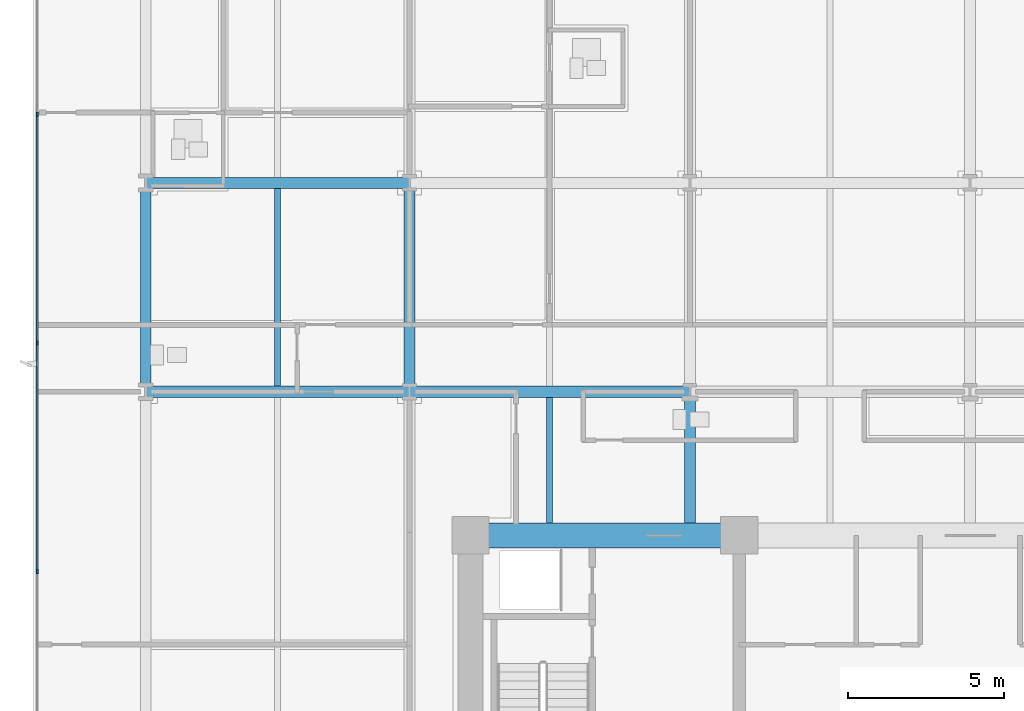
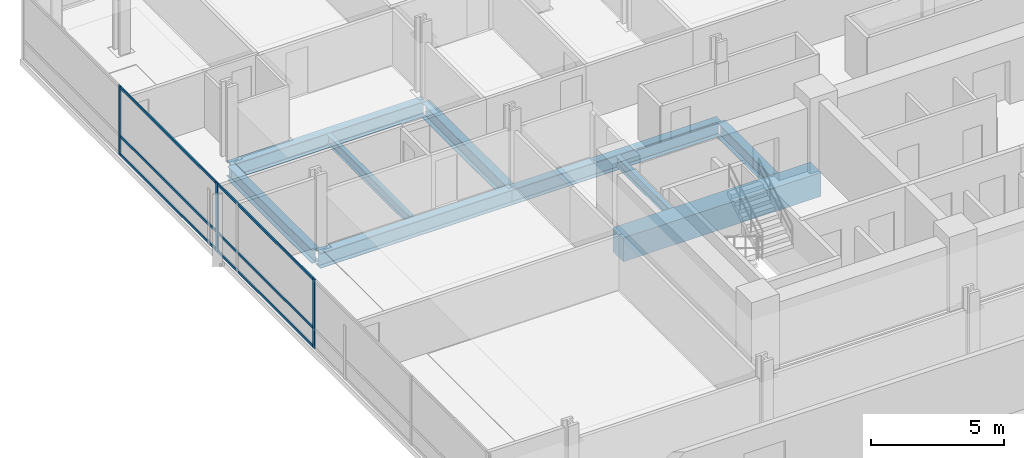
# One storey, part 4 of 21: 9 beams, 9 members, 1 element without a shape of its own.
"""IFC4 building model written with IfcOpenShell, lengths in metres."""

from ifc_helpers import new_model, si_unit, direction, frame, origin, origin_2d, place, context, subcontext, project, spatial, rectangle, i_section, extrude, material, material_profile, profile_set, type_object, element, aggregate, save


model = new_model("IFC4")

# Units and contexts
model_context = context("Model", 3, precision=1e-05, world=origin(), true_north=direction((0.0, 1.0)))
body_context = subcontext(model_context, "Body", "Model", "MODEL_VIEW")
ifc_project = project(units=[si_unit("LENGTHUNIT", "METRE"), si_unit("AREAUNIT", "SQUARE_METRE"), si_unit("VOLUMEUNIT", "CUBIC_METRE"), si_unit("PLANEANGLEUNIT", "RADIAN"), si_unit("MASSUNIT", "GRAM", prefix="KILO")], contexts=[model_context])

# Site, building, storey
site_placement = place(None, origin())
site = spatial("IfcSite", under=ifc_project, at=site_placement, CompositionType="ELEMENT")
building_placement = place(site_placement, origin())
building = spatial("IfcBuilding", under=site, at=building_placement, Name="Solmavex Isthmus Hotel", CompositionType="ELEMENT")
storey_placement = place(building_placement, frame((0.0, 0.0, 60.89990234375)))
storey = spatial("IfcBuildingStorey", under=building, at=storey_placement, Name="L16", CompositionType="ELEMENT", Elevation=60.89990234375)

# Beams
ifc_material_1 = material(Name="Steel ASTM A992 Grade 50", Category="steel")
ifc_material_profile_1 = material_profile(ifc_material_1, i_section(OverallWidth=0.354736328125, OverallDepth=0.695556640625, WebThickness=0.015380859375, FlangeThickness=0.02490234375, FilletRadius=0.017822265625, at=origin_2d()), Name="W27X146")
ifc_profile_set_1 = profile_set([ifc_material_profile_1], Name="Steel ASTM A992 Grade 50")
beam_type_1 = type_object("IfcBeamType", Name="BM-BG-W27X146", PredefinedType="BEAM", material=ifc_profile_set_1)
beam_1_placement = place(storey_placement, frame((-26.39990234375, 2.10009765625, -0.607666015625), z_axis=(1.0, 0.0, 0.0), x_axis=(0.0, 1.0, 0.0)))
element("IfcBeam", 1, at=beam_1_placement, inside=storey, type_object=beam_type_1, Name="Floor Girder L16-UG07", PredefinedType="BEAM", context=body_context, shape_type="SweptSolid", body=[
    extrude(i_section(OverallWidth=0.354736328125, OverallDepth=0.695556640625, WebThickness=0.015380859375, FlangeThickness=0.02490234375, FilletRadius=0.017822265625, at=origin_2d()), origin(), (0.0, 0.0, 1.0), 8.447998046875),
])
beam_2_placement = place(storey_placement, frame((-17.951904296875, 2.10009765625, -0.607666015625), z_axis=(1.0, 0.0, 0.0), x_axis=(0.0, 1.0, 0.0)))
element("IfcBeam", 2, at=beam_2_placement, inside=storey, type_object=beam_type_1, Name="Floor Girder L16-UG08", PredefinedType="BEAM", context=body_context, shape_type="SweptSolid", body=[
    extrude(i_section(OverallWidth=0.354736328125, OverallDepth=0.695556640625, WebThickness=0.015380859375, FlangeThickness=0.02490234375, FilletRadius=0.017822265625, at=origin_2d()), origin(), (0.0, 0.0, 1.0), 8.975830078125),
])
beam_3_placement = place(storey_placement, frame((-26.39990234375, 8.7880859375, -0.607666015625), z_axis=(1.0, 0.0, 0.0), x_axis=(0.0, 1.0, 0.0)))
element("IfcBeam", 3, at=beam_3_placement, inside=storey, type_object=beam_type_1, Name="Floor Girder L16-UG13", PredefinedType="BEAM", context=body_context, shape_type="SweptSolid", body=[
    extrude(i_section(OverallWidth=0.354736328125, OverallDepth=0.695556640625, WebThickness=0.015380859375, FlangeThickness=0.02490234375, FilletRadius=0.017822265625, at=origin_2d()), origin(), (0.0, 0.0, 1.0), 8.447998046875),
])
beam_4_placement = place(storey_placement, frame((-17.951904296875, 2.27734375, -0.607666015625), z_axis=(0.0, 1.0, 0.0), x_axis=(-1.0, 0.0, 0.0)))
element("IfcBeam", 4, at=beam_4_placement, inside=storey, type_object=beam_type_1, Name="Floor Beam L16-VG29", PredefinedType="BEAM", context=body_context, shape_type="SweptSolid", body=[
    extrude(i_section(OverallWidth=0.354736328125, OverallDepth=0.695556640625, WebThickness=0.015380859375, FlangeThickness=0.02490234375, FilletRadius=0.017822265625, at=origin_2d()), origin(), (0.0, 0.0, 1.0), 6.333251953125),
])
beam_5_placement = place(storey_placement, frame((-8.97607421875, -2.10009765625, -0.607666015625), z_axis=(0.0, 1.0, 0.0), x_axis=(-1.0, 0.0, 0.0)))
element("IfcBeam", 5, at=beam_5_placement, inside=storey, type_object=beam_type_1, Name="Floor Beam L16-VG32", PredefinedType="BEAM", context=body_context, shape_type="SweptSolid", body=[
    extrude(i_section(OverallWidth=0.354736328125, OverallDepth=0.695556640625, WebThickness=0.015380859375, FlangeThickness=0.02490234375, FilletRadius=0.017822265625, at=origin_2d()), origin(), (0.0, 0.0, 1.0), 4.022705078125),
])
ifc_material_profile_2 = material_profile(ifc_material_1, i_section(OverallWidth=0.1904296875, OverallDepth=0.456787109375, WebThickness=0.009033203125, FlangeThickness=0.014404296875, FilletRadius=0.0126953125, at=origin_2d()), Name="W18X50")
ifc_profile_set_2 = profile_set([ifc_material_profile_2], Name="Steel ASTM A992 Grade 50")
beam_type_2 = type_object("IfcBeamType", Name="BM-BJ-W18X50", PredefinedType="JOIST", material=ifc_profile_set_2)
beam_6_placement = place(storey_placement, frame((-22.176025390625, 2.27734375, -0.48828125), z_axis=(0.0, 1.0, 0.0), x_axis=(-1.0, 0.0, 0.0)))
element("IfcBeam", 6, at=beam_6_placement, inside=storey, type_object=beam_type_2, Name="Secondary Floor Joist L16-J02", PredefinedType="JOIST", context=body_context, shape_type="SweptSolid", body=[
    extrude(i_section(OverallWidth=0.1904296875, OverallDepth=0.456787109375, WebThickness=0.009033203125, FlangeThickness=0.014404296875, FilletRadius=0.0126953125, at=origin_2d()), origin(), (0.0, 0.0, 1.0), 6.333251953125),
])
beam_7_placement = place(storey_placement, frame((-13.464111328125, -2.10009765625, -0.48828125), z_axis=(0.0, 1.0, 0.0), x_axis=(-1.0, 0.0, 0.0)))
element("IfcBeam", 7, at=beam_7_placement, inside=storey, type_object=beam_type_2, Name="Secondary Floor Joist L16-J05", PredefinedType="JOIST", context=body_context, shape_type="SweptSolid", body=[
    extrude(i_section(OverallWidth=0.1904296875, OverallDepth=0.456787109375, WebThickness=0.009033203125, FlangeThickness=0.014404296875, FilletRadius=0.0126953125, at=origin_2d()), origin(), (0.0, 0.0, 1.0), 4.022705078125),
])
ifc_material_2 = material(Name="Concrete C70/85", Category="concrete")
ifc_material_profile_3 = material_profile(ifc_material_2, rectangle(XDim=0.800048828125, YDim=1.10009765625, at=origin_2d()), Name="RC800X1100")
ifc_profile_set_3 = profile_set([ifc_material_profile_3], Name="Concrete C70/85")
beam_type_3 = type_object("IfcBeamType", Name="BM-CB-800X1100", PredefinedType="BEAM", material=ifc_profile_set_3)
beam_8_placement = place(storey_placement, frame((-16.0, -2.5, -0.809814453125), z_axis=(1.0, 0.0, 0.0), x_axis=(0.0, 1.0, 0.0)))
element("IfcBeam", 8, at=beam_8_placement, inside=storey, type_object=beam_type_3, Name="Core Coupling Beam L16-CB4", PredefinedType="BEAM", context=body_context, shape_type="SweptSolid", body=[
    extrude(rectangle(XDim=0.800048828125, YDim=1.10009765625, at=origin_2d()), origin(), (0.0, 0.0, 1.0), 8.60009765625),
])
ifc_material_profile_4 = material_profile(ifc_material_1, i_section(OverallWidth=0.326416015625, OverallDepth=0.621826171875, WebThickness=0.015380859375, FlangeThickness=0.0244140625, FilletRadius=0.01513671875, at=origin_2d()), Name="W24X131")
ifc_profile_set_4 = profile_set([ifc_material_profile_4], Name="Steel ASTM A992 Grade 50")
beam_type_4 = type_object("IfcBeamType", Name="BM-SP-W24X131", PredefinedType="SPANDREL", material=ifc_profile_set_4)
beam_9_placement = place(storey_placement, frame((-26.39990234375, 2.27734375, -0.57080078125), z_axis=(0.0, 1.0, 0.0), x_axis=(-1.0, 0.0, 0.0)))
element("IfcBeam", 9, at=beam_9_placement, inside=storey, type_object=beam_type_4, Name="Floor Beam L16-VG26", PredefinedType="SPANDREL", context=body_context, shape_type="SweptSolid", body=[
    extrude(i_section(OverallWidth=0.326416015625, OverallDepth=0.621826171875, WebThickness=0.015380859375, FlangeThickness=0.0244140625, FilletRadius=0.01513671875, at=origin_2d()), origin(), (0.0, 0.0, 1.0), 6.333251953125),
])

# Curtain wall, members
ifc_material_3 = material(Name="Aluminium alloy 6063-T6", Category="aluminium")
curtain_wall_type = type_object("IfcCurtainWallType", Name="CW-SYS-06", PredefinedType="NOTDEFINED", material=ifc_material_3)
curtain_wall_placement = place(storey_placement, origin())
curtain_wall = element("IfcCurtainWall", 10, at=curtain_wall_placement, inside=storey, type_object=curtain_wall_type, Name="Stick Curtain Wall CWL-L16-W1", PredefinedType="NOTDEFINED")
ifc_material_profile_5 = material_profile(ifc_material_3, rectangle(XDim=0.06005859375, YDim=0.139892578125, at=origin_2d()), Name="CWM-60X140")
ifc_profile_set_5 = profile_set([ifc_material_profile_5], Name="Aluminium alloy 6063-T6")
member_type_1 = type_object("IfcMemberType", Name="CW-SYS-06-MUL", PredefinedType="MULLION", material=ifc_profile_set_5)
member_1_placement = place(storey_placement, frame((-29.8798828125, -3.659912109375, 0.0), z_axis=(0.0, 0.0, 1.0), x_axis=(-1.0, 0.0, 0.0)))
member_1 = element("IfcMember", 11, at=member_1_placement, type_object=member_type_1, Name="CW-06 mullion 3", PredefinedType="MULLION", context=body_context, shape_type="SweptSolid", body=[
    extrude(rectangle(XDim=0.06005859375, YDim=0.139892578125, at=origin_2d()), origin(), (0.0, 0.0, 1.0), 3.190185546875),
])
member_2_placement = place(storey_placement, frame((-29.8798828125, 3.659912109375, 0.0), z_axis=(0.0, 0.0, 1.0), x_axis=(-1.0, 0.0, 0.0)))
member_2 = element("IfcMember", 12, at=member_2_placement, type_object=member_type_1, Name="CW-06 mullion 4", PredefinedType="MULLION", context=body_context, shape_type="SweptSolid", body=[
    extrude(rectangle(XDim=0.06005859375, YDim=0.139892578125, at=origin_2d()), origin(), (0.0, 0.0, 1.0), 3.190185546875),
])
member_3_placement = place(storey_placement, frame((-29.8798828125, 10.97998046875, 0.0), z_axis=(0.0, 0.0, 1.0), x_axis=(-1.0, 0.0, 0.0)))
member_3 = element("IfcMember", 13, at=member_3_placement, type_object=member_type_1, Name="CW-06 mullion 5", PredefinedType="MULLION", context=body_context, shape_type="SweptSolid", body=[
    extrude(rectangle(XDim=0.06005859375, YDim=0.139892578125, at=origin_2d()), origin(), (0.0, 0.0, 1.0), 3.190185546875),
])
ifc_material_profile_6 = material_profile(ifc_material_3, rectangle(XDim=0.06005859375, YDim=0.114990234375, at=origin_2d()), Name="CWT-60X115")
ifc_profile_set_6 = profile_set([ifc_material_profile_6], Name="Aluminium alloy 6063-T6")
member_type_2 = type_object("IfcMemberType", Name="CW-SYS-06-TRN", PredefinedType="USERDEFINED", material=ifc_profile_set_6)
member_4_placement = place(storey_placement, frame((-29.8798828125, -3.6298828125, 0.0576171875), z_axis=(0.0, 1.0, 0.0), x_axis=(-1.0, 0.0, 0.0)))
member_4 = element("IfcMember", 14, at=member_4_placement, type_object=member_type_2, Name="CW-06 transom 3.1", ObjectType="TRANSOM", PredefinedType="USERDEFINED", context=body_context, shape_type="SweptSolid", body=[
    extrude(rectangle(XDim=0.06005859375, YDim=0.114990234375, at=origin_2d()), origin(), (0.0, 0.0, 1.0), 7.259765625),
])
member_5_placement = place(storey_placement, frame((-29.8798828125, -3.6298828125, 0.900146484375), z_axis=(0.0, 1.0, 0.0), x_axis=(-1.0, 0.0, 0.0)))
member_5 = element("IfcMember", 15, at=member_5_placement, type_object=member_type_2, Name="CW-06 transom 3.2", ObjectType="TRANSOM", PredefinedType="USERDEFINED", context=body_context, shape_type="SweptSolid", body=[
    extrude(rectangle(XDim=0.06005859375, YDim=0.114990234375, at=origin_2d()), origin(), (0.0, 0.0, 1.0), 7.259765625),
])
member_6_placement = place(storey_placement, frame((-29.8798828125, -3.6298828125, 3.132568359375), z_axis=(0.0, 1.0, 0.0), x_axis=(-1.0, 0.0, 0.0)))
member_6 = element("IfcMember", 16, at=member_6_placement, type_object=member_type_2, Name="CW-06 transom 3.3", ObjectType="TRANSOM", PredefinedType="USERDEFINED", context=body_context, shape_type="SweptSolid", body=[
    extrude(rectangle(XDim=0.06005859375, YDim=0.114990234375, at=origin_2d()), origin(), (0.0, 0.0, 1.0), 7.259765625),
])
member_7_placement = place(storey_placement, frame((-29.8798828125, 3.68994140625, 0.0576171875), z_axis=(0.0, 1.0, 0.0), x_axis=(-1.0, 0.0, 0.0)))
member_7 = element("IfcMember", 17, at=member_7_placement, type_object=member_type_2, Name="CW-06 transom 4.1", ObjectType="TRANSOM", PredefinedType="USERDEFINED", context=body_context, shape_type="SweptSolid", body=[
    extrude(rectangle(XDim=0.06005859375, YDim=0.114990234375, at=origin_2d()), origin(), (0.0, 0.0, 1.0), 7.260009765625),
])
member_8_placement = place(storey_placement, frame((-29.8798828125, 3.68994140625, 0.900146484375), z_axis=(0.0, 1.0, 0.0), x_axis=(-1.0, 0.0, 0.0)))
member_8 = element("IfcMember", 18, at=member_8_placement, type_object=member_type_2, Name="CW-06 transom 4.2", ObjectType="TRANSOM", PredefinedType="USERDEFINED", context=body_context, shape_type="SweptSolid", body=[
    extrude(rectangle(XDim=0.06005859375, YDim=0.114990234375, at=origin_2d()), origin(), (0.0, 0.0, 1.0), 7.260009765625),
])
member_9_placement = place(storey_placement, frame((-29.8798828125, 3.68994140625, 3.132568359375), z_axis=(0.0, 1.0, 0.0), x_axis=(-1.0, 0.0, 0.0)))
member_9 = element("IfcMember", 19, at=member_9_placement, type_object=member_type_2, Name="CW-06 transom 4.3", ObjectType="TRANSOM", PredefinedType="USERDEFINED", context=body_context, shape_type="SweptSolid", body=[
    extrude(rectangle(XDim=0.06005859375, YDim=0.114990234375, at=origin_2d()), origin(), (0.0, 0.0, 1.0), 7.260009765625),
])
aggregate(curtain_wall, [member_1, member_2, member_3, member_4, member_5, member_6, member_7, member_8, member_9])

save(model, "model.ifc")
